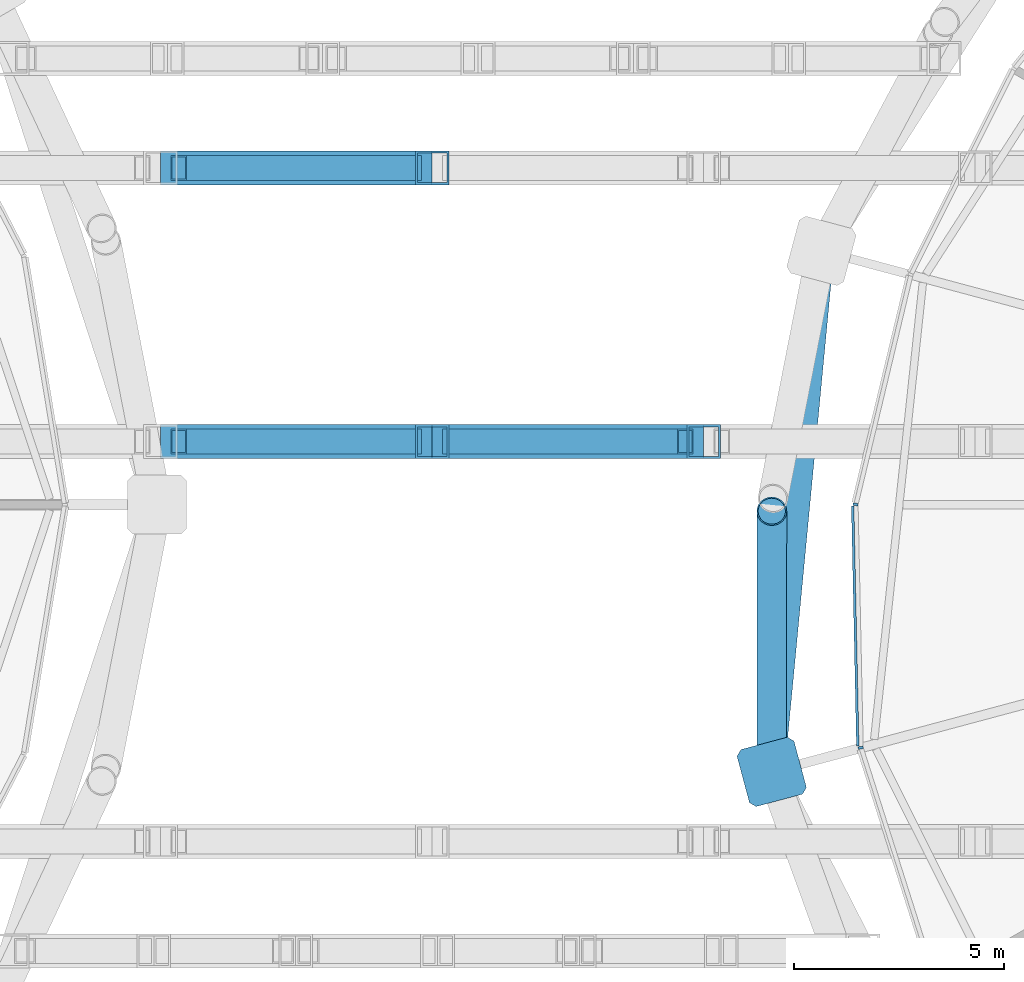
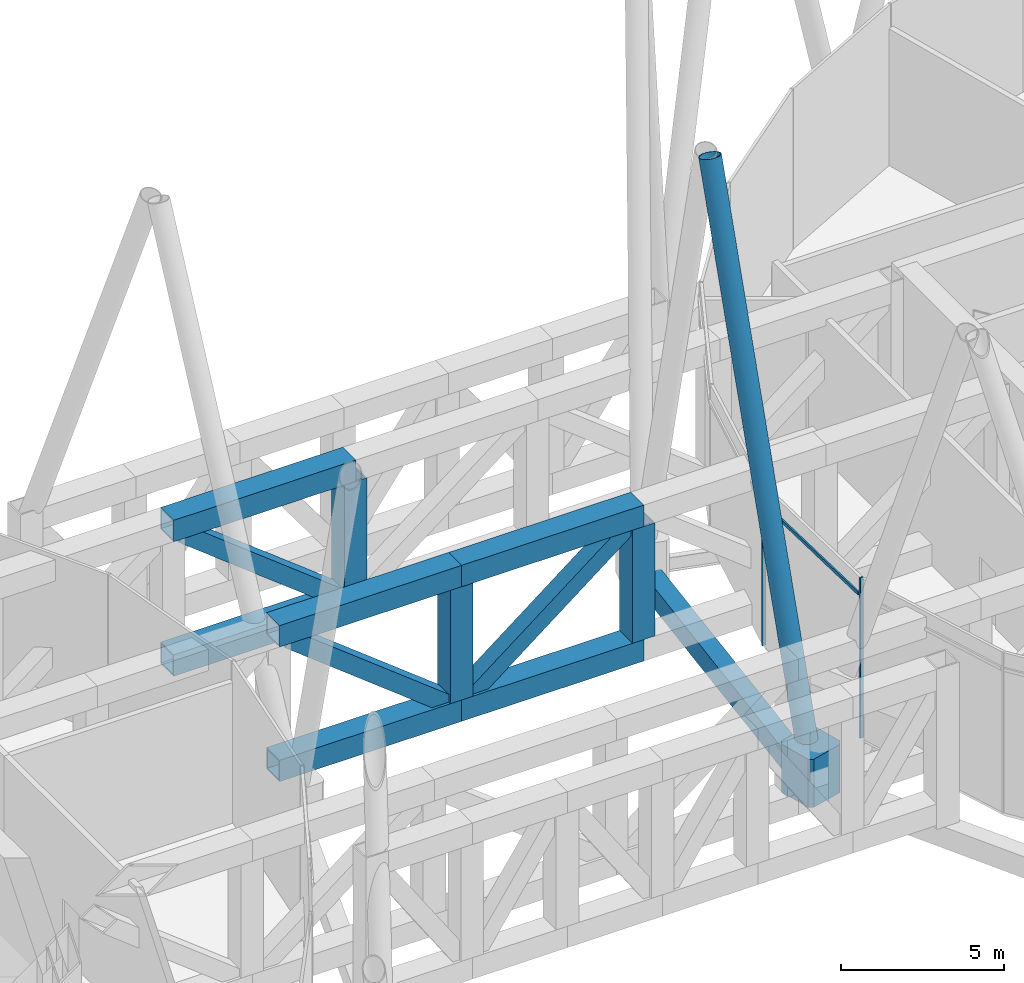
# One storey, part 11 of 39: 17 members, 1 beam, 1 element without a shape of its own.
"""IFC4 building model written with IfcOpenShell, lengths in metres."""

from ifc_helpers import new_model, si_unit, direction, frame, origin, origin_2d, place, context, subcontext, project, spatial, polyline, rectangle, hollow_rectangle, hollow_circle, outline, extrude, material, material_profile, profile_set, type_object, element, aggregate, save


model = new_model("IFC4")

# Units and contexts
model_context = context("Model", 3, precision=1e-05, world=origin(), true_north=direction((0.0, 1.0)))
body_context = subcontext(model_context, "Body", "Model", "MODEL_VIEW")
ifc_project = project(units=[si_unit("LENGTHUNIT", "METRE"), si_unit("AREAUNIT", "SQUARE_METRE"), si_unit("VOLUMEUNIT", "CUBIC_METRE"), si_unit("PLANEANGLEUNIT", "RADIAN"), si_unit("MASSUNIT", "GRAM", prefix="KILO")], contexts=[model_context])

# Site, building, storey
site_placement = place(None, origin())
site = spatial("IfcSite", under=ifc_project, at=site_placement, CompositionType="ELEMENT")
building_placement = place(site_placement, origin())
building = spatial("IfcBuilding", under=site, at=building_placement, Name="Rimbun Link Towers", CompositionType="ELEMENT")
storey_placement = place(building_placement, frame((0.0, 0.0, 127.199951171875)))
storey = spatial("IfcBuildingStorey", under=building, at=storey_placement, Name="L31", CompositionType="ELEMENT", Elevation=127.199951171875)

# Curtain wall, members
ifc_material_1 = material(Name="Aluminium 6063-T6 louvre wall", Category="aluminium")
curtain_wall_type = type_object("IfcCurtainWallType", Name="CW6 plant floor louvre wall", PredefinedType="NOTDEFINED", material=ifc_material_1)
curtain_wall_placement = place(storey_placement, origin())
curtain_wall = element("IfcCurtainWall", 1, at=curtain_wall_placement, inside=storey, type_object=curtain_wall_type, Name="CW6 L31 T2", PredefinedType="NOTDEFINED")
ifc_material_2 = material(Name="Aluminium 6063-T6", Category="aluminium")
ifc_material_profile_1 = material_profile(ifc_material_2, rectangle(XDim=0.1201171875, YDim=0.06005859375, at=origin_2d()), Name="MULLION 60X120")
ifc_profile_set_1 = profile_set([ifc_material_profile_1], Name="Aluminium 6063-T6")
member_type_1 = type_object("IfcMemberType", Name="CW6 mullion 60X120", PredefinedType="MULLION", material=ifc_profile_set_1)
member_1_placement = place(storey_placement, frame((10.059814453125, 0.00634765625, 0.0), z_axis=(0.0, 0.0, 1.0), x_axis=(-0.994297335391, 0.106643372198, 0.0)))
member_1 = element("IfcMember", 2, at=member_1_placement, type_object=member_type_1, Name="CW6 mullion", PredefinedType="MULLION", context=body_context, shape_type="SweptSolid", body=[
    extrude(rectangle(XDim=0.1201171875, YDim=0.06005859375, at=origin_2d()), origin(), (0.0, 0.0, 1.0), 6.0),
])
member_2_placement = place(storey_placement, frame((10.181640625, -5.773193359375, 0.0), z_axis=(0.0, 0.0, 1.0), x_axis=(-0.986501754566, -0.163750689273, 0.0)))
member_2 = element("IfcMember", 3, at=member_2_placement, type_object=member_type_1, Name="CW6 mullion", PredefinedType="MULLION", context=body_context, shape_type="SweptSolid", body=[
    extrude(rectangle(XDim=0.1201171875, YDim=0.06005859375, at=origin_2d()), origin(), (0.0, 0.0, 1.0), 6.0),
])
ifc_material_3 = material(Name="Aluminium 6063-T6", Category="aluminium")
ifc_material_profile_2 = material_profile(ifc_material_3, rectangle(XDim=0.06005859375, YDim=0.1201171875, at=origin_2d()), Name="TRANSOM 60X120")
ifc_profile_set_2 = profile_set([ifc_material_profile_2], Name="Aluminium 6063-T6")
member_type_2 = type_object("IfcMemberType", Name="CW6 transom 60X120", PredefinedType="USERDEFINED", material=ifc_profile_set_2)
member_3_placement = place(storey_placement, frame((10.110107421875, -5.736083984375, 5.400146484375), z_axis=(-0.021056073019, 0.999778296318, 0.0), x_axis=(-0.999778296318, -0.021056073019, 0.0)))
member_3 = element("IfcMember", 4, at=member_3_placement, type_object=member_type_2, Name="CW6 transom", ObjectType="TRANSOM", PredefinedType="USERDEFINED", context=body_context, shape_type="SweptSolid", body=[
    extrude(rectangle(XDim=0.06005859375, YDim=0.1201171875, at=origin_2d()), origin(), (0.0, 0.0, 1.0), 5.70458984375),
])
aggregate(curtain_wall, [member_1, member_2, member_3])

# Members
ifc_material_4 = material(Name="Steel S460NH", Category="steel")
ifc_material_profile_3 = material_profile(ifc_material_4, hollow_circle(Radius=0.355712890625, WallThickness=0.031982421875, at=origin_2d()), Name="Diagrid diagonal CHS 711x32")
ifc_profile_set_3 = profile_set([ifc_material_profile_3], Name="Steel S460NH")
member_type_3 = type_object("IfcMemberType", Name="Diagrid diagonal CHS 711x32", PredefinedType="BRACE", material=ifc_profile_set_3)
member_4_placement = place(storey_placement, frame((8.0673828125, -6.191650390625, 0.475830078125), z_axis=(7.4731401e-05, 0.308017923059, 0.951380551351), x_axis=(-0.999999970568, 0.000242620292, 0.0)))
element("IfcMember", 5, at=member_4_placement, inside=storey, type_object=member_type_3, Name="Diagrid diagonal T2 L31-L35 10a", PredefinedType="BRACE", context=body_context, shape_type="SweptSolid", body=[
    extrude(hollow_circle(Radius=0.355712890625, WallThickness=0.031982421875, at=origin_2d()), origin(), (0.0, 0.0, 1.0), 19.6015625),
])
ifc_material_5 = material(Name="Cast steel G20Mn5+QT, Rp0.2 300 MPa", Category="steel")
ifc_material_profile_4 = material_profile(ifc_material_5, outline(polyline([(0.699951171875, -0.570068359375), (0.699951171875, 0.570068359375), (0.570068359375, 0.699951171875), (-0.570068359375, 0.699951171875), (-0.699951171875, 0.570068359375), (-0.699951171875, -0.570068359375), (-0.570068359375, -0.699951171875), (0.570068359375, -0.699951171875), (0.699951171875, -0.570068359375)])), Name="NODE 1400x1400")
ifc_profile_set_4 = profile_set([ifc_material_profile_4], Name="Cast steel G20Mn5+QT, Rp0.2 300 MPa")
member_type_4 = type_object("IfcMemberType", Name="Diagrid node cast 1400", PredefinedType="USERDEFINED", material=ifc_profile_set_4)
member_5_placement = place(storey_placement, frame((8.0673828125, -6.345703125, -0.89990234375), z_axis=(0.0, 0.0, 1.0), x_axis=(-0.965925826289, -0.258819045103, 0.0)))
element("IfcMember", 6, at=member_5_placement, inside=storey, type_object=member_type_4, Name="Diagrid node L31 10", ObjectType="Diagrid node", PredefinedType="USERDEFINED", context=body_context, shape_type="SweptSolid", body=[
    extrude(outline(polyline([(0.699951171875, -0.570068359375), (0.699951171875, 0.570068359375), (0.570068359375, 0.699951171875), (-0.570068359375, 0.699951171875), (-0.699951171875, 0.570068359375), (-0.699951171875, -0.570068359375), (-0.570068359375, -0.699951171875), (0.570068359375, -0.699951171875), (0.699951171875, -0.570068359375)])), origin(), (0.0, 0.0, 1.0), 1.800048828125),
])

# Beam
ifc_material_6 = material(Name="Steel S355J2", Category="steel")
ifc_material_profile_5 = material_profile(ifc_material_6, hollow_rectangle(XDim=0.60009765625, YDim=0.800048828125, WallThickness=0.0400390625, at=origin_2d()), Name="Exoskeleton ring girder BOX 600x800x40")
ifc_profile_set_5 = profile_set([ifc_material_profile_5], Name="Steel S355J2")
beam_type = type_object("IfcBeamType", Name="Exoskeleton ring girder BOX 600x800x40", PredefinedType="BEAM", material=ifc_profile_set_5)
beam_placement = place(storey_placement, frame((9.18212890625, 5.33251953125, -0.56005859375), z_axis=(-0.095010661683, -0.995476254949, 0.0), x_axis=(0.995476254949, -0.095010661683, 0.0)))
element("IfcBeam", 7, at=beam_placement, inside=storey, type_object=beam_type, Name="Exoskeleton ring girder L31 04", PredefinedType="BEAM", context=body_context, shape_type="SweptSolid", body=[
    extrude(hollow_rectangle(XDim=0.60009765625, YDim=0.800048828125, WallThickness=0.0400390625, at=origin_2d()), origin(), (0.0, 0.0, 1.0), 11.03125),
])

# Members
ifc_material_7 = material(Name="Steel S460N", Category="steel")
ifc_material_profile_6 = material_profile(ifc_material_7, hollow_rectangle(XDim=0.800048828125, YDim=0.800048828125, WallThickness=0.050048828125, at=origin_2d()), Name="Link transfer truss chord BOX 800x800x50")
ifc_profile_set_6 = profile_set([ifc_material_profile_6], Name="Steel S460N")
member_type_5 = type_object("IfcMemberType", Name="Link transfer truss chord BOX 800x800x50", PredefinedType="CHORD", material=ifc_profile_set_6)
for number, where, z_axis, x_axis, name in (
    (8, (-6.449951171875, 1.5, 0.400146484375), (1.0, 0.0, 0.0), (0.0, 1.0, 0.0), "Link transfer truss chord 2 bottom 02"),
    (9, (-6.449951171875, 1.5, 5.43994140625), (1.0, 0.0, 0.0), (0.0, 1.0, 0.0), "Link transfer truss chord 2 top 02"),
    (10, (0.0, 1.5, 0.400146484375), (1.0, 0.0, 0.0), (0.0, 1.0, 0.0), "Link transfer truss chord 2 bottom 03"),
    (11, (0.0, 1.5, 5.43994140625), (1.0, 0.0, 0.0), (0.0, 1.0, 0.0), "Link transfer truss chord 2 top 03"),
    (12, (-6.449951171875, 8.0, 0.400146484375), (1.0, 0.0, 0.0), (0.0, 1.0, 0.0), "Link transfer truss chord 3 bottom 02"),
    (13, (-6.449951171875, 8.0, 5.43994140625), (1.0, 0.0, 0.0), (0.0, 1.0, 0.0), "Link transfer truss chord 3 top 02"),
):
    element("IfcMember", number, at=place(storey_placement, frame(where, z_axis=z_axis, x_axis=x_axis)), inside=storey, type_object=member_type_5, Name=name, PredefinedType="CHORD", context=body_context, shape_type="SweptSolid", body=[
        extrude(hollow_rectangle(XDim=0.800048828125, YDim=0.800048828125, WallThickness=0.050048828125, at=origin_2d()), origin(), (0.0, 0.0, 1.0), 6.449951171875),
    ])
ifc_material_8 = material(Name="Steel S460N", Category="steel")
ifc_material_profile_7 = material_profile(ifc_material_8, hollow_rectangle(XDim=0.60009765625, YDim=0.60009765625, WallThickness=0.0400390625, at=origin_2d()), Name="Link transfer truss diagonal BOX 600x600x40")
ifc_profile_set_7 = profile_set([ifc_material_profile_7], Name="Steel S460N")
member_type_6 = type_object("IfcMemberType", Name="Link transfer truss diagonal BOX 600x600x40", PredefinedType="BRACE", material=ifc_profile_set_7)
for number, where, z_axis, x_axis, name in (
    (14, (-6.0166015625, 1.5, 5.1015625), (0.787964297355, 0.0, -0.615720931992), (0.0, 1.0, 0.0), "Link transfer truss diagonal 2 02"),
    (15, (0.433349609375, 1.5, 0.73876953125), (0.787964297355, 0.0, 0.615720931992), (0.0, 1.0, 0.0), "Link transfer truss diagonal 2 03"),
    (16, (-6.0166015625, 8.0, 5.1015625), (0.787964297355, 0.0, -0.615720931992), (0.0, 1.0, 0.0), "Link transfer truss diagonal 3 02"),
):
    element("IfcMember", number, at=place(storey_placement, frame(where, z_axis=z_axis, x_axis=x_axis)), inside=storey, type_object=member_type_6, Name=name, PredefinedType="BRACE", context=body_context, shape_type="SweptSolid", body=[
        extrude(hollow_rectangle(XDim=0.60009765625, YDim=0.60009765625, WallThickness=0.0400390625, at=origin_2d()), origin(), (0.0, 0.0, 1.0), 7.085693359375),
    ])
ifc_material_9 = material(Name="Steel S460N", Category="steel")
ifc_material_profile_8 = material_profile(ifc_material_9, hollow_rectangle(XDim=0.800048828125, YDim=0.800048828125, WallThickness=0.050048828125, at=origin_2d()), Name="Link transfer truss post BOX 800x800x50")
ifc_profile_set_8 = profile_set([ifc_material_profile_8], Name="Steel S460N")
member_type_7 = type_object("IfcMemberType", Name="Link transfer truss post BOX 800x800x50", PredefinedType="POST", material=ifc_profile_set_8)
for number, where, z_axis, x_axis, name in (
    (17, (0.0, 1.5, 0.800048828125), (0.0, 0.0, 1.0), (1.0, 0.0, 0.0), "Link transfer truss post 2-03"),
    (18, (6.449951171875, 1.5, 0.800048828125), (0.0, 0.0, 1.0), (1.0, 0.0, 0.0), "Link transfer truss post 2-04"),
    (19, (0.0, 8.0, 0.800048828125), (0.0, 0.0, 1.0), (1.0, 0.0, 0.0), "Link transfer truss post 3-03"),
):
    element("IfcMember", number, at=place(storey_placement, frame(where, z_axis=z_axis, x_axis=x_axis)), inside=storey, type_object=member_type_7, Name=name, PredefinedType="POST", context=body_context, shape_type="SweptSolid", body=[
        extrude(hollow_rectangle(XDim=0.800048828125, YDim=0.800048828125, WallThickness=0.050048828125, at=origin_2d()), origin(), (0.0, 0.0, 1.0), 4.239990234375),
    ])

save(model, "model.ifc")
